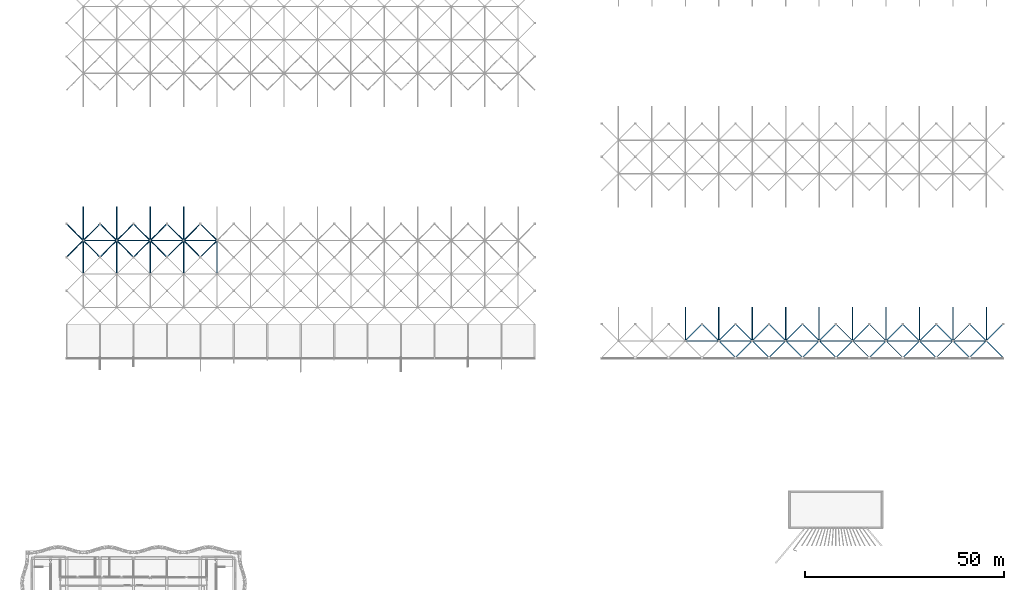
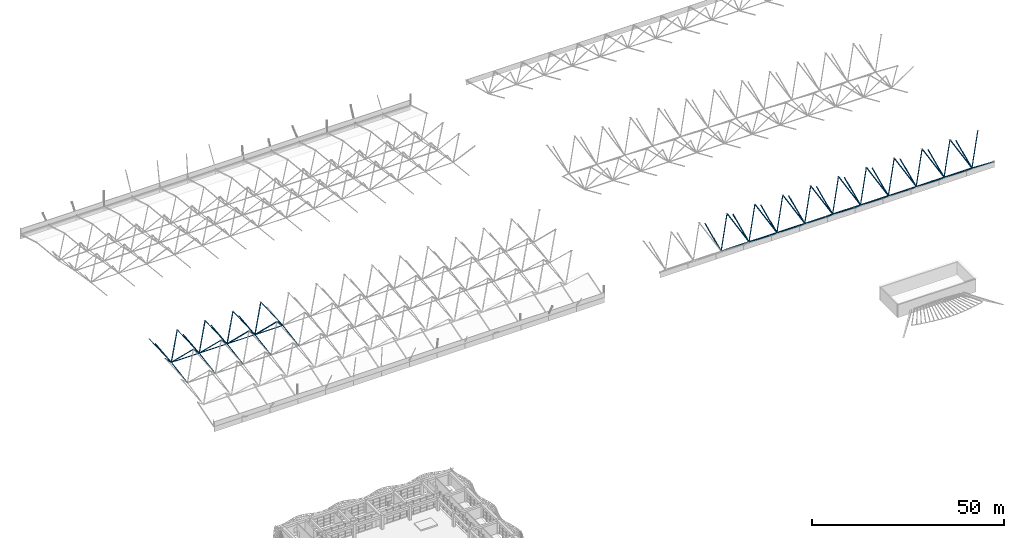
# One storey, part 18 of 85: 86 members.
"""IFC4 building model written with IfcOpenShell, lengths in metres."""

from ifc_helpers import new_model, si_unit, direction, frame, origin, origin_2d, place, context, subcontext, project, spatial, hollow_rectangle, extrude, material, material_profile, profile_set, type_object, element, save


model = new_model("IFC4")

# Units and contexts
model_context = context("Model", 3, precision=1e-05, world=origin(), true_north=direction((0.0, 1.0)))
body_context = subcontext(model_context, "Body", "Model", "MODEL_VIEW")
ifc_project = project(units=[si_unit("LENGTHUNIT", "METRE"), si_unit("AREAUNIT", "SQUARE_METRE"), si_unit("VOLUMEUNIT", "CUBIC_METRE"), si_unit("PLANEANGLEUNIT", "RADIAN"), si_unit("MASSUNIT", "GRAM", prefix="KILO")], contexts=[model_context])

# Site, building, storey
site_placement = place(None, origin())
site = spatial("IfcSite", under=ifc_project, at=site_placement, CompositionType="ELEMENT")
building_placement = place(site_placement, origin())
building = spatial("IfcBuilding", under=site, at=building_placement, Name="Rain Tree Exposition and Congress Centre", CompositionType="ELEMENT")
storey_placement = place(building_placement, frame((0.0, 0.0, 15.0)))
storey = spatial("IfcBuildingStorey", under=building, at=storey_placement, Name="L03", CompositionType="ELEMENT", Elevation=15.0)

# Members
ifc_material_1 = material(Name="Steel S355J2H", Category="steel")
ifc_material_profile_1 = material_profile(ifc_material_1, hollow_rectangle(XDim=0.175048828125, YDim=0.175048828125, WallThickness=0.006103515625, at=origin_2d()), Name="RHS 175x175x6")
ifc_profile_set_1 = profile_set([ifc_material_profile_1], Name="Steel S355J2H")
member_type_1 = type_object("IfcMemberType", Name="Steel brace member RHS 175x175x6", PredefinedType="BRACE", material=ifc_profile_set_1)
for number, where, z_axis, x_axis, name in (
    (1, (12.60009765625, 130.199951171875, 3.974609375), (-0.531227713919, -0.531196835768, 0.660020482738), (0.70708622964, -0.707127332136, 0.0), "Diagonal 612"),
    (2, (12.60009765625, 130.199951171875, 3.974609375), (0.531205549126, -0.531205549126, 0.660031309223), (0.707106781187, 0.707106781187, 0.0), "Diagonal 613"),
):
    element("IfcMember", number, at=place(storey_placement, frame(where, z_axis=z_axis, x_axis=x_axis)), inside=storey, type_object=member_type_1, Name=name, PredefinedType="BRACE", context=body_context, shape_type="SweptSolid", body=[
        extrude(hollow_rectangle(XDim=0.175048828125, YDim=0.175048828125, WallThickness=0.006103515625, at=origin_2d()), origin(), (0.0, 0.0, 1.0), 7.906494140625),
    ])
for number, where, z_axis, x_axis, name in (
    (3, (12.60009765625, 130.199951171875, 3.974609375), (-0.482468463969, 0.482440419998, 0.731078260125), (-0.70708622964, -0.707127332136, 0.0), "Diagonal 614"),
    (4, (12.60009765625, 130.199951171875, 3.974609375), (0.48244694752, 0.48244694752, 0.73108815177), (-0.707106781187, 0.707106781187, 0.0), "Diagonal 615"),
):
    element("IfcMember", number, at=place(storey_placement, frame(where, z_axis=z_axis, x_axis=x_axis)), inside=storey, type_object=member_type_1, Name=name, PredefinedType="BRACE", context=body_context, shape_type="SweptSolid", body=[
        extrude(hollow_rectangle(XDim=0.175048828125, YDim=0.175048828125, WallThickness=0.006103515625, at=origin_2d()), origin(), (0.0, 0.0, 1.0), 8.70556640625),
    ])
for number, where, z_axis, x_axis, name in (
    (5, (21.0, 130.199951171875, 3.974609375), (-0.531205549126, -0.531205549126, 0.660031309223), (0.707106781187, -0.707106781187, 0.0), "Diagonal 618"),
    (6, (21.0, 130.199951171875, 3.974609375), (0.531205549126, -0.531205549126, 0.660031309223), (0.707106781187, 0.707106781187, 0.0), "Diagonal 619"),
):
    element("IfcMember", number, at=place(storey_placement, frame(where, z_axis=z_axis, x_axis=x_axis)), inside=storey, type_object=member_type_1, Name=name, PredefinedType="BRACE", context=body_context, shape_type="SweptSolid", body=[
        extrude(hollow_rectangle(XDim=0.175048828125, YDim=0.175048828125, WallThickness=0.006103515625, at=origin_2d()), origin(), (0.0, 0.0, 1.0), 7.906494140625),
    ])
for number, where, z_axis, x_axis, name in (
    (7, (21.0, 130.199951171875, 3.974609375), (-0.48244694752, 0.48244694752, 0.73108815177), (-0.707106781187, -0.707106781187, 0.0), "Diagonal 620"),
    (8, (21.0, 130.199951171875, 3.974609375), (0.48244694752, 0.48244694752, 0.73108815177), (-0.707106781187, 0.707106781187, 0.0), "Diagonal 621"),
):
    element("IfcMember", number, at=place(storey_placement, frame(where, z_axis=z_axis, x_axis=x_axis)), inside=storey, type_object=member_type_1, Name=name, PredefinedType="BRACE", context=body_context, shape_type="SweptSolid", body=[
        extrude(hollow_rectangle(XDim=0.175048828125, YDim=0.175048828125, WallThickness=0.006103515625, at=origin_2d()), origin(), (0.0, 0.0, 1.0), 8.70556640625),
    ])
for number, where, z_axis, x_axis, name in (
    (9, (29.39990234375, 130.199951171875, 3.974609375), (-0.531205549126, -0.531205549126, 0.660031309223), (0.707106781187, -0.707106781187, 0.0), "Diagonal 624"),
    (10, (29.39990234375, 130.199951171875, 3.974609375), (0.531227713919, -0.531196835768, 0.660020482738), (0.70708622964, 0.707127332136, 0.0), "Diagonal 625"),
):
    element("IfcMember", number, at=place(storey_placement, frame(where, z_axis=z_axis, x_axis=x_axis)), inside=storey, type_object=member_type_1, Name=name, PredefinedType="BRACE", context=body_context, shape_type="SweptSolid", body=[
        extrude(hollow_rectangle(XDim=0.175048828125, YDim=0.175048828125, WallThickness=0.006103515625, at=origin_2d()), origin(), (0.0, 0.0, 1.0), 7.906494140625),
    ])
for number, where, z_axis, x_axis, name in (
    (11, (29.39990234375, 130.199951171875, 3.974609375), (-0.48244694752, 0.48244694752, 0.73108815177), (-0.707106781187, -0.707106781187, 0.0), "Diagonal 626"),
    (12, (29.39990234375, 130.199951171875, 3.974609375), (0.482468463969, 0.482440419998, 0.731078260125), (-0.70708622964, 0.707127332136, 0.0), "Diagonal 627"),
):
    element("IfcMember", number, at=place(storey_placement, frame(where, z_axis=z_axis, x_axis=x_axis)), inside=storey, type_object=member_type_1, Name=name, PredefinedType="BRACE", context=body_context, shape_type="SweptSolid", body=[
        extrude(hollow_rectangle(XDim=0.175048828125, YDim=0.175048828125, WallThickness=0.006103515625, at=origin_2d()), origin(), (0.0, 0.0, 1.0), 8.70556640625),
    ])
for number, where, z_axis, x_axis, name in (
    (13, (37.800048828125, 130.199951171875, 3.974609375), (-0.531205549126, -0.531205549126, 0.660031309223), (0.707106781187, -0.707106781187, 0.0), "Diagonal 630"),
    (14, (37.800048828125, 130.199951171875, 3.974609375), (0.531205549126, -0.531205549126, 0.660031309223), (0.707106781187, 0.707106781187, 0.0), "Diagonal 631"),
):
    element("IfcMember", number, at=place(storey_placement, frame(where, z_axis=z_axis, x_axis=x_axis)), inside=storey, type_object=member_type_1, Name=name, PredefinedType="BRACE", context=body_context, shape_type="SweptSolid", body=[
        extrude(hollow_rectangle(XDim=0.175048828125, YDim=0.175048828125, WallThickness=0.006103515625, at=origin_2d()), origin(), (0.0, 0.0, 1.0), 7.906494140625),
    ])
for number, where, z_axis, x_axis, name in (
    (15, (37.800048828125, 130.199951171875, 3.974609375), (-0.48244694752, 0.48244694752, 0.73108815177), (-0.707106781187, -0.707106781187, 0.0), "Diagonal 632"),
    (16, (37.800048828125, 130.199951171875, 3.974609375), (0.48244694752, 0.48244694752, 0.73108815177), (-0.707106781187, 0.707106781187, 0.0), "Diagonal 633"),
):
    element("IfcMember", number, at=place(storey_placement, frame(where, z_axis=z_axis, x_axis=x_axis)), inside=storey, type_object=member_type_1, Name=name, PredefinedType="BRACE", context=body_context, shape_type="SweptSolid", body=[
        extrude(hollow_rectangle(XDim=0.175048828125, YDim=0.175048828125, WallThickness=0.006103515625, at=origin_2d()), origin(), (0.0, 0.0, 1.0), 8.70556640625),
    ])
member_1_placement = place(storey_placement, frame((46.199951171875, 130.199951171875, 3.974609375), z_axis=(-0.531205549126, -0.531205549126, 0.660031309223), x_axis=(0.707106781187, -0.707106781187, 0.0)))
element("IfcMember", 17, at=member_1_placement, inside=storey, type_object=member_type_1, Name="Diagonal 636", PredefinedType="BRACE", context=body_context, shape_type="SweptSolid", body=[
    extrude(hollow_rectangle(XDim=0.175048828125, YDim=0.175048828125, WallThickness=0.006103515625, at=origin_2d()), origin(), (0.0, 0.0, 1.0), 7.906494140625),
])
member_2_placement = place(storey_placement, frame((46.199951171875, 130.199951171875, 3.974609375), z_axis=(-0.48244694752, 0.48244694752, 0.73108815177), x_axis=(-0.707106781187, -0.707106781187, 0.0)))
element("IfcMember", 18, at=member_2_placement, inside=storey, type_object=member_type_1, Name="Diagonal 638", PredefinedType="BRACE", context=body_context, shape_type="SweptSolid", body=[
    extrude(hollow_rectangle(XDim=0.175048828125, YDim=0.175048828125, WallThickness=0.006103515625, at=origin_2d()), origin(), (0.0, 0.0, 1.0), 8.70556640625),
])
ifc_material_2 = material(Name="Steel S355J2H", Category="steel")
ifc_material_profile_2 = material_profile(ifc_material_2, hollow_rectangle(XDim=0.25, YDim=0.25, WallThickness=0.006103515625, at=origin_2d()), Name="RHS 250x250x6")
ifc_profile_set_2 = profile_set([ifc_material_profile_2], Name="Steel S355J2H")
member_type_2 = type_object("IfcMemberType", Name="Steel brace member RHS 250x250x6", PredefinedType="BRACE", material=ifc_profile_set_2)
member_3_placement = place(storey_placement, frame((163.800048828125, 105.0, 1.77294921875), z_axis=(0.422505540408, 0.422505540408, 0.801859175073), x_axis=(-0.707106781187, 0.707106781187, 0.0)))
element("IfcMember", 19, at=member_3_placement, inside=storey, type_object=member_type_2, Name="Diagonal 328", PredefinedType="BRACE", context=body_context, shape_type="SweptSolid", body=[
    extrude(hollow_rectangle(XDim=0.25, YDim=0.25, WallThickness=0.006103515625, at=origin_2d()), origin(), (0.0, 0.0, 1.0), 9.940673828125),
])
member_4_placement = place(storey_placement, frame((172.199951171875, 105.0, 1.77294921875), z_axis=(0.627852053381, -0.627852053381, 0.460003910993), x_axis=(0.707106781187, 0.707106781187, 0.0)))
element("IfcMember", 20, at=member_4_placement, inside=storey, type_object=member_type_2, Name="Diagonal 332", PredefinedType="BRACE", context=body_context, shape_type="SweptSolid", body=[
    extrude(hollow_rectangle(XDim=0.25, YDim=0.25, WallThickness=0.006103515625, at=origin_2d()), origin(), (0.0, 0.0, 1.0), 6.689453125),
])
for number, where, z_axis, x_axis, name in (
    (21, (172.199951171875, 105.0, 1.77294921875), (-0.422505540408, 0.422505540408, 0.801859175073), (-0.707106781187, -0.707106781187, 0.0), "Diagonal 333"),
    (22, (172.199951171875, 105.0, 1.77294921875), (0.422505540408, 0.422505540408, 0.801859175073), (-0.707106781187, 0.707106781187, 0.0), "Diagonal 334"),
):
    element("IfcMember", number, at=place(storey_placement, frame(where, z_axis=z_axis, x_axis=x_axis)), inside=storey, type_object=member_type_2, Name=name, PredefinedType="BRACE", context=body_context, shape_type="SweptSolid", body=[
        extrude(hollow_rectangle(XDim=0.25, YDim=0.25, WallThickness=0.006103515625, at=origin_2d()), origin(), (0.0, 0.0, 1.0), 9.940673828125),
    ])
for number, where, z_axis, x_axis, name in (
    (23, (180.60009765625, 105.0, 1.77294921875), (-0.627874162364, -0.62783766654, 0.459993370288), (0.70708622964, -0.707127332136, 0.0), "Diagonal 337"),
    (24, (180.60009765625, 105.0, 1.77294921875), (0.627852053381, -0.627852053381, 0.460003910993), (0.707106781187, 0.707106781187, 0.0), "Diagonal 338"),
):
    element("IfcMember", number, at=place(storey_placement, frame(where, z_axis=z_axis, x_axis=x_axis)), inside=storey, type_object=member_type_2, Name=name, PredefinedType="BRACE", context=body_context, shape_type="SweptSolid", body=[
        extrude(hollow_rectangle(XDim=0.25, YDim=0.25, WallThickness=0.006103515625, at=origin_2d()), origin(), (0.0, 0.0, 1.0), 6.689453125),
    ])
for number, where, z_axis, x_axis, name in (
    (25, (180.60009765625, 105.0, 1.77294921875), (-0.422525715859, 0.422501156122, 0.801850854283), (-0.70708622964, -0.707127332136, 0.0), "Diagonal 339"),
    (26, (180.60009765625, 105.0, 1.77294921875), (0.422505540408, 0.422505540408, 0.801859175073), (-0.707106781187, 0.707106781187, 0.0), "Diagonal 340"),
):
    element("IfcMember", number, at=place(storey_placement, frame(where, z_axis=z_axis, x_axis=x_axis)), inside=storey, type_object=member_type_2, Name=name, PredefinedType="BRACE", context=body_context, shape_type="SweptSolid", body=[
        extrude(hollow_rectangle(XDim=0.25, YDim=0.25, WallThickness=0.006103515625, at=origin_2d()), origin(), (0.0, 0.0, 1.0), 9.940673828125),
    ])
for number, where, z_axis, x_axis, name in (
    (27, (189.0, 105.0, 1.77294921875), (-0.627852053381, -0.627852053381, 0.460003910993), (0.707106781187, -0.707106781187, 0.0), "Diagonal 343"),
    (28, (189.0, 105.0, 1.77294921875), (0.627852053381, -0.627852053381, 0.460003910993), (0.707106781187, 0.707106781187, 0.0), "Diagonal 344"),
):
    element("IfcMember", number, at=place(storey_placement, frame(where, z_axis=z_axis, x_axis=x_axis)), inside=storey, type_object=member_type_2, Name=name, PredefinedType="BRACE", context=body_context, shape_type="SweptSolid", body=[
        extrude(hollow_rectangle(XDim=0.25, YDim=0.25, WallThickness=0.006103515625, at=origin_2d()), origin(), (0.0, 0.0, 1.0), 6.689453125),
    ])
for number, where, z_axis, x_axis, name in (
    (29, (189.0, 105.0, 1.77294921875), (-0.422505540408, 0.422505540408, 0.801859175073), (-0.707106781187, -0.707106781187, 0.0), "Diagonal 345"),
    (30, (189.0, 105.0, 1.77294921875), (0.422505540408, 0.422505540408, 0.801859175073), (-0.707106781187, 0.707106781187, 0.0), "Diagonal 346"),
):
    element("IfcMember", number, at=place(storey_placement, frame(where, z_axis=z_axis, x_axis=x_axis)), inside=storey, type_object=member_type_2, Name=name, PredefinedType="BRACE", context=body_context, shape_type="SweptSolid", body=[
        extrude(hollow_rectangle(XDim=0.25, YDim=0.25, WallThickness=0.006103515625, at=origin_2d()), origin(), (0.0, 0.0, 1.0), 9.940673828125),
    ])
for number, where, z_axis, x_axis, name in (
    (31, (197.39990234375, 105.0, 1.77294921875), (-0.627852053381, -0.627852053381, 0.460003910993), (0.707106781187, -0.707106781187, 0.0), "Diagonal 349"),
    (32, (197.39990234375, 105.0, 1.77294921875), (0.627874162364, -0.62783766654, 0.459993370288), (0.70708622964, 0.707127332136, 0.0), "Diagonal 350"),
):
    element("IfcMember", number, at=place(storey_placement, frame(where, z_axis=z_axis, x_axis=x_axis)), inside=storey, type_object=member_type_2, Name=name, PredefinedType="BRACE", context=body_context, shape_type="SweptSolid", body=[
        extrude(hollow_rectangle(XDim=0.25, YDim=0.25, WallThickness=0.006103515625, at=origin_2d()), origin(), (0.0, 0.0, 1.0), 6.689453125),
    ])
for number, where, z_axis, x_axis, name in (
    (33, (197.39990234375, 105.0, 1.77294921875), (-0.422505540408, 0.422505540408, 0.801859175073), (-0.707106781187, -0.707106781187, 0.0), "Diagonal 351"),
    (34, (197.39990234375, 105.0, 1.77294921875), (0.422525715859, 0.422501156122, 0.801850854283), (-0.70708622964, 0.707127332136, 0.0), "Diagonal 352"),
):
    element("IfcMember", number, at=place(storey_placement, frame(where, z_axis=z_axis, x_axis=x_axis)), inside=storey, type_object=member_type_2, Name=name, PredefinedType="BRACE", context=body_context, shape_type="SweptSolid", body=[
        extrude(hollow_rectangle(XDim=0.25, YDim=0.25, WallThickness=0.006103515625, at=origin_2d()), origin(), (0.0, 0.0, 1.0), 9.940673828125),
    ])
for number, where, z_axis, x_axis, name in (
    (35, (205.800048828125, 105.0, 1.77294921875), (-0.627852053381, -0.627852053381, 0.460003910993), (0.707106781187, -0.707106781187, 0.0), "Diagonal 355"),
    (36, (205.800048828125, 105.0, 1.77294921875), (0.627852053381, -0.627852053381, 0.460003910993), (0.707106781187, 0.707106781187, 0.0), "Diagonal 356"),
):
    element("IfcMember", number, at=place(storey_placement, frame(where, z_axis=z_axis, x_axis=x_axis)), inside=storey, type_object=member_type_2, Name=name, PredefinedType="BRACE", context=body_context, shape_type="SweptSolid", body=[
        extrude(hollow_rectangle(XDim=0.25, YDim=0.25, WallThickness=0.006103515625, at=origin_2d()), origin(), (0.0, 0.0, 1.0), 6.689453125),
    ])
for number, where, z_axis, x_axis, name in (
    (37, (205.800048828125, 105.0, 1.77294921875), (-0.422505540408, 0.422505540408, 0.801859175073), (-0.707106781187, -0.707106781187, 0.0), "Diagonal 357"),
    (38, (205.800048828125, 105.0, 1.77294921875), (0.422505540408, 0.422505540408, 0.801859175073), (-0.707106781187, 0.707106781187, 0.0), "Diagonal 358"),
):
    element("IfcMember", number, at=place(storey_placement, frame(where, z_axis=z_axis, x_axis=x_axis)), inside=storey, type_object=member_type_2, Name=name, PredefinedType="BRACE", context=body_context, shape_type="SweptSolid", body=[
        extrude(hollow_rectangle(XDim=0.25, YDim=0.25, WallThickness=0.006103515625, at=origin_2d()), origin(), (0.0, 0.0, 1.0), 9.940673828125),
    ])
for number, where, z_axis, x_axis, name in (
    (39, (214.199951171875, 105.0, 1.77294921875), (-0.627852053381, -0.627852053381, 0.460003910993), (0.707106781187, -0.707106781187, 0.0), "Diagonal 361"),
    (40, (214.199951171875, 105.0, 1.77294921875), (0.627852053381, -0.627852053381, 0.460003910993), (0.707106781187, 0.707106781187, 0.0), "Diagonal 362"),
):
    element("IfcMember", number, at=place(storey_placement, frame(where, z_axis=z_axis, x_axis=x_axis)), inside=storey, type_object=member_type_2, Name=name, PredefinedType="BRACE", context=body_context, shape_type="SweptSolid", body=[
        extrude(hollow_rectangle(XDim=0.25, YDim=0.25, WallThickness=0.006103515625, at=origin_2d()), origin(), (0.0, 0.0, 1.0), 6.689453125),
    ])
for number, where, z_axis, x_axis, name in (
    (41, (214.199951171875, 105.0, 1.77294921875), (-0.422505540408, 0.422505540408, 0.801859175073), (-0.707106781187, -0.707106781187, 0.0), "Diagonal 363"),
    (42, (214.199951171875, 105.0, 1.77294921875), (0.422505540408, 0.422505540408, 0.801859175073), (-0.707106781187, 0.707106781187, 0.0), "Diagonal 364"),
):
    element("IfcMember", number, at=place(storey_placement, frame(where, z_axis=z_axis, x_axis=x_axis)), inside=storey, type_object=member_type_2, Name=name, PredefinedType="BRACE", context=body_context, shape_type="SweptSolid", body=[
        extrude(hollow_rectangle(XDim=0.25, YDim=0.25, WallThickness=0.006103515625, at=origin_2d()), origin(), (0.0, 0.0, 1.0), 9.940673828125),
    ])
for number, where, z_axis, x_axis, name in (
    (43, (222.60009765625, 105.0, 1.77294921875), (-0.627874162364, -0.62783766654, 0.459993370288), (0.70708622964, -0.707127332136, 0.0), "Diagonal 367"),
    (44, (222.60009765625, 105.0, 1.77294921875), (0.627852053381, -0.627852053381, 0.460003910993), (0.707106781187, 0.707106781187, 0.0), "Diagonal 368"),
):
    element("IfcMember", number, at=place(storey_placement, frame(where, z_axis=z_axis, x_axis=x_axis)), inside=storey, type_object=member_type_2, Name=name, PredefinedType="BRACE", context=body_context, shape_type="SweptSolid", body=[
        extrude(hollow_rectangle(XDim=0.25, YDim=0.25, WallThickness=0.006103515625, at=origin_2d()), origin(), (0.0, 0.0, 1.0), 6.689453125),
    ])
for number, where, z_axis, x_axis, name in (
    (45, (222.60009765625, 105.0, 1.77294921875), (-0.422525715859, 0.422501156122, 0.801850854283), (-0.70708622964, -0.707127332136, 0.0), "Diagonal 369"),
    (46, (222.60009765625, 105.0, 1.77294921875), (0.422505540408, 0.422505540408, 0.801859175073), (-0.707106781187, 0.707106781187, 0.0), "Diagonal 370"),
):
    element("IfcMember", number, at=place(storey_placement, frame(where, z_axis=z_axis, x_axis=x_axis)), inside=storey, type_object=member_type_2, Name=name, PredefinedType="BRACE", context=body_context, shape_type="SweptSolid", body=[
        extrude(hollow_rectangle(XDim=0.25, YDim=0.25, WallThickness=0.006103515625, at=origin_2d()), origin(), (0.0, 0.0, 1.0), 9.940673828125),
    ])
for number, where, z_axis, x_axis, name in (
    (47, (231.0, 105.0, 1.77294921875), (-0.627852053381, -0.627852053381, 0.460003910993), (0.707106781187, -0.707106781187, 0.0), "Diagonal 373"),
    (48, (231.0, 105.0, 1.77294921875), (0.627852053381, -0.627852053381, 0.460003910993), (0.707106781187, 0.707106781187, 0.0), "Diagonal 374"),
):
    element("IfcMember", number, at=place(storey_placement, frame(where, z_axis=z_axis, x_axis=x_axis)), inside=storey, type_object=member_type_2, Name=name, PredefinedType="BRACE", context=body_context, shape_type="SweptSolid", body=[
        extrude(hollow_rectangle(XDim=0.25, YDim=0.25, WallThickness=0.006103515625, at=origin_2d()), origin(), (0.0, 0.0, 1.0), 6.689453125),
    ])
for number, where, z_axis, x_axis, name in (
    (49, (231.0, 105.0, 1.77294921875), (-0.422505540408, 0.422505540408, 0.801859175073), (-0.707106781187, -0.707106781187, 0.0), "Diagonal 375"),
    (50, (231.0, 105.0, 1.77294921875), (0.422505540408, 0.422505540408, 0.801859175073), (-0.707106781187, 0.707106781187, 0.0), "Diagonal 376"),
):
    element("IfcMember", number, at=place(storey_placement, frame(where, z_axis=z_axis, x_axis=x_axis)), inside=storey, type_object=member_type_2, Name=name, PredefinedType="BRACE", context=body_context, shape_type="SweptSolid", body=[
        extrude(hollow_rectangle(XDim=0.25, YDim=0.25, WallThickness=0.006103515625, at=origin_2d()), origin(), (0.0, 0.0, 1.0), 9.940673828125),
    ])
for number, where, z_axis, x_axis, name in (
    (51, (239.39990234375, 105.0, 1.77294921875), (-0.627852053381, -0.627852053381, 0.460003910993), (0.707106781187, -0.707106781187, 0.0), "Diagonal 379"),
    (52, (239.39990234375, 105.0, 1.77294921875), (0.627874162364, -0.62783766654, 0.459993370288), (0.70708622964, 0.707127332136, 0.0), "Diagonal 380"),
):
    element("IfcMember", number, at=place(storey_placement, frame(where, z_axis=z_axis, x_axis=x_axis)), inside=storey, type_object=member_type_2, Name=name, PredefinedType="BRACE", context=body_context, shape_type="SweptSolid", body=[
        extrude(hollow_rectangle(XDim=0.25, YDim=0.25, WallThickness=0.006103515625, at=origin_2d()), origin(), (0.0, 0.0, 1.0), 6.689453125),
    ])
for number, where, z_axis, x_axis, name in (
    (53, (239.39990234375, 105.0, 1.77294921875), (-0.422505540408, 0.422505540408, 0.801859175073), (-0.707106781187, -0.707106781187, 0.0), "Diagonal 381"),
    (54, (239.39990234375, 105.0, 1.77294921875), (0.422525715859, 0.422501156122, 0.801850854283), (-0.70708622964, 0.707127332136, 0.0), "Diagonal 382"),
):
    element("IfcMember", number, at=place(storey_placement, frame(where, z_axis=z_axis, x_axis=x_axis)), inside=storey, type_object=member_type_2, Name=name, PredefinedType="BRACE", context=body_context, shape_type="SweptSolid", body=[
        extrude(hollow_rectangle(XDim=0.25, YDim=0.25, WallThickness=0.006103515625, at=origin_2d()), origin(), (0.0, 0.0, 1.0), 9.940673828125),
    ])
ifc_material_3 = material(Name="Steel S355J2H", Category="steel")
ifc_material_profile_3 = material_profile(ifc_material_3, hollow_rectangle(XDim=0.14990234375, YDim=0.14990234375, WallThickness=0.00439453125, at=origin_2d()), Name="RHS 150x150x4.5")
ifc_profile_set_3 = profile_set([ifc_material_profile_3], Name="Steel S355J2H")
member_type_3 = type_object("IfcMemberType", Name="Steel chord member RHS 150x150x4.5", PredefinedType="CHORD", material=ifc_profile_set_3)
member_5_placement = place(storey_placement, frame((163.800048828125, 105.0, 1.77294921875), z_axis=(1.0, 0.0, 0.0), x_axis=(0.0, 1.0, 0.0)))
element("IfcMember", 55, at=member_5_placement, inside=storey, type_object=member_type_3, Name="Bottom chord 329", PredefinedType="CHORD", context=body_context, shape_type="SweptSolid", body=[
    extrude(hollow_rectangle(XDim=0.14990234375, YDim=0.14990234375, WallThickness=0.00439453125, at=origin_2d()), origin(), (0.0, 0.0, 1.0), 8.39990234375),
])
member_6_placement = place(storey_placement, frame((172.199951171875, 105.0, 1.77294921875), z_axis=(1.0, 0.0, 0.0), x_axis=(0.0, 1.0, 0.0)))
element("IfcMember", 56, at=member_6_placement, inside=storey, type_object=member_type_3, Name="Bottom chord 335", PredefinedType="CHORD", context=body_context, shape_type="SweptSolid", body=[
    extrude(hollow_rectangle(XDim=0.14990234375, YDim=0.14990234375, WallThickness=0.00439453125, at=origin_2d()), origin(), (0.0, 0.0, 1.0), 8.400146484375),
])
for number, where, z_axis, x_axis, name in (
    (57, (180.60009765625, 105.0, 1.77294921875), (1.0, 0.0, 0.0), (0.0, 1.0, 0.0), "Bottom chord 341"),
    (58, (189.0, 105.0, 1.77294921875), (1.0, 0.0, 0.0), (0.0, 1.0, 0.0), "Bottom chord 347"),
):
    element("IfcMember", number, at=place(storey_placement, frame(where, z_axis=z_axis, x_axis=x_axis)), inside=storey, type_object=member_type_3, Name=name, PredefinedType="CHORD", context=body_context, shape_type="SweptSolid", body=[
        extrude(hollow_rectangle(XDim=0.14990234375, YDim=0.14990234375, WallThickness=0.00439453125, at=origin_2d()), origin(), (0.0, 0.0, 1.0), 8.39990234375),
    ])
member_7_placement = place(storey_placement, frame((197.39990234375, 105.0, 1.77294921875), z_axis=(1.0, 0.0, 0.0), x_axis=(0.0, 1.0, 0.0)))
element("IfcMember", 59, at=member_7_placement, inside=storey, type_object=member_type_3, Name="Bottom chord 353", PredefinedType="CHORD", context=body_context, shape_type="SweptSolid", body=[
    extrude(hollow_rectangle(XDim=0.14990234375, YDim=0.14990234375, WallThickness=0.00439453125, at=origin_2d()), origin(), (0.0, 0.0, 1.0), 8.400146484375),
])
member_8_placement = place(storey_placement, frame((205.800048828125, 105.0, 1.77294921875), z_axis=(1.0, 0.0, 0.0), x_axis=(0.0, 1.0, 0.0)))
element("IfcMember", 60, at=member_8_placement, inside=storey, type_object=member_type_3, Name="Bottom chord 359", PredefinedType="CHORD", context=body_context, shape_type="SweptSolid", body=[
    extrude(hollow_rectangle(XDim=0.14990234375, YDim=0.14990234375, WallThickness=0.00439453125, at=origin_2d()), origin(), (0.0, 0.0, 1.0), 8.39990234375),
])
member_9_placement = place(storey_placement, frame((214.199951171875, 105.0, 1.77294921875), z_axis=(1.0, 0.0, 0.0), x_axis=(0.0, 1.0, 0.0)))
element("IfcMember", 61, at=member_9_placement, inside=storey, type_object=member_type_3, Name="Bottom chord 365", PredefinedType="CHORD", context=body_context, shape_type="SweptSolid", body=[
    extrude(hollow_rectangle(XDim=0.14990234375, YDim=0.14990234375, WallThickness=0.00439453125, at=origin_2d()), origin(), (0.0, 0.0, 1.0), 8.400146484375),
])
for number, where, z_axis, x_axis, name in (
    (62, (222.60009765625, 105.0, 1.77294921875), (1.0, 0.0, 0.0), (0.0, 1.0, 0.0), "Bottom chord 371"),
    (63, (231.0, 105.0, 1.77294921875), (1.0, 0.0, 0.0), (0.0, 1.0, 0.0), "Bottom chord 377"),
):
    element("IfcMember", number, at=place(storey_placement, frame(where, z_axis=z_axis, x_axis=x_axis)), inside=storey, type_object=member_type_3, Name=name, PredefinedType="CHORD", context=body_context, shape_type="SweptSolid", body=[
        extrude(hollow_rectangle(XDim=0.14990234375, YDim=0.14990234375, WallThickness=0.00439453125, at=origin_2d()), origin(), (0.0, 0.0, 1.0), 8.39990234375),
    ])
ifc_material_4 = material(Name="Steel S355J2H", Category="steel")
ifc_material_profile_4 = material_profile(ifc_material_4, hollow_rectangle(XDim=0.175048828125, YDim=0.175048828125, WallThickness=0.006103515625, at=origin_2d()), Name="RHS 175x175x6")
ifc_profile_set_4 = profile_set([ifc_material_profile_4], Name="Steel S355J2H")
member_type_4 = type_object("IfcMemberType", Name="Steel chord member RHS 175x175x6", PredefinedType="CHORD", material=ifc_profile_set_4)
for number, where, z_axis, x_axis, name in (
    (64, (163.800048828125, 105.0, 1.77294921875), (0.0, 0.915468371114, 0.402389937114), (-1.0, 0.0, 0.0), "Bottom chord 330"),
    (65, (172.199951171875, 105.0, 1.77294921875), (0.0, 0.915468371114, 0.402389937114), (-1.0, 0.0, 0.0), "Bottom chord 336"),
    (66, (180.60009765625, 105.0, 1.77294921875), (0.0, 0.915468371114, 0.402389937114), (-1.0, 0.0, 0.0), "Bottom chord 342"),
    (67, (189.0, 105.0, 1.77294921875), (0.0, 0.915468371114, 0.402389937114), (-1.0, 0.0, 0.0), "Bottom chord 348"),
    (68, (197.39990234375, 105.0, 1.77294921875), (0.0, 0.915468371114, 0.402389937114), (-1.0, 0.0, 0.0), "Bottom chord 354"),
    (69, (205.800048828125, 105.0, 1.77294921875), (0.0, 0.915468371114, 0.402389937114), (-1.0, 0.0, 0.0), "Bottom chord 360"),
    (70, (214.199951171875, 105.0, 1.77294921875), (0.0, 0.915468371114, 0.402389937114), (-1.0, 0.0, 0.0), "Bottom chord 366"),
    (71, (222.60009765625, 105.0, 1.77294921875), (0.0, 0.915468371114, 0.402389937114), (-1.0, 0.0, 0.0), "Bottom chord 372"),
    (72, (231.0, 105.0, 1.77294921875), (0.0, 0.915468371114, 0.402389937114), (-1.0, 0.0, 0.0), "Bottom chord 378"),
    (73, (239.39990234375, 105.0, 1.77294921875), (0.0, 0.915468371114, 0.402389937114), (-1.0, 0.0, 0.0), "Bottom chord 383"),
):
    element("IfcMember", number, at=place(storey_placement, frame(where, z_axis=z_axis, x_axis=x_axis)), inside=storey, type_object=member_type_4, Name=name, PredefinedType="CHORD", context=body_context, shape_type="SweptSolid", body=[
        extrude(hollow_rectangle(XDim=0.175048828125, YDim=0.175048828125, WallThickness=0.006103515625, at=origin_2d()), origin(), (0.0, 0.0, 1.0), 9.175537109375),
    ])
ifc_material_5 = material(Name="Steel S355J2H", Category="steel")
ifc_material_profile_5 = material_profile(ifc_material_5, hollow_rectangle(XDim=0.199951171875, YDim=0.199951171875, WallThickness=0.009033203125, at=origin_2d()), Name="RHS 200x200x9")
ifc_profile_set_5 = profile_set([ifc_material_profile_5], Name="Steel S355J2H")
member_type_5 = type_object("IfcMemberType", Name="Steel chord member RHS 200x200x9", PredefinedType="CHORD", material=ifc_profile_set_5)
for number, where, z_axis, x_axis, name in (
    (74, (12.60009765625, 121.800048828125, 2.593505859375), (0.0, 0.986751221358, 0.162240645795), (-1.0, 0.0, 0.0), "Bottom chord 534"),
    (75, (21.0, 121.800048828125, 2.593505859375), (0.0, 0.986751221358, 0.162240645795), (-1.0, 0.0, 0.0), "Bottom chord 540"),
    (76, (29.39990234375, 121.800048828125, 2.593505859375), (0.0, 0.986751221358, 0.162240645795), (-1.0, 0.0, 0.0), "Bottom chord 546"),
    (77, (37.800048828125, 121.800048828125, 2.593505859375), (0.0, 0.986751221358, 0.162240645795), (-1.0, 0.0, 0.0), "Bottom chord 552"),
    (78, (46.199951171875, 121.800048828125, 2.593505859375), (0.0, 0.986751221358, 0.162240645795), (-1.0, 0.0, 0.0), "Bottom chord 558"),
):
    element("IfcMember", number, at=place(storey_placement, frame(where, z_axis=z_axis, x_axis=x_axis)), inside=storey, type_object=member_type_5, Name=name, PredefinedType="CHORD", context=body_context, shape_type="SweptSolid", body=[
        extrude(hollow_rectangle(XDim=0.199951171875, YDim=0.199951171875, WallThickness=0.009033203125, at=origin_2d()), origin(), (0.0, 0.0, 1.0), 8.5126953125),
    ])
member_10_placement = place(storey_placement, frame((12.60009765625, 130.199951171875, 3.974609375), z_axis=(1.0, 0.0, 0.0), x_axis=(0.0, 1.0, 0.0)))
element("IfcMember", 79, at=member_10_placement, inside=storey, type_object=member_type_5, Name="Bottom chord 616", PredefinedType="CHORD", context=body_context, shape_type="SweptSolid", body=[
    extrude(hollow_rectangle(XDim=0.199951171875, YDim=0.199951171875, WallThickness=0.009033203125, at=origin_2d()), origin(), (0.0, 0.0, 1.0), 8.39990234375),
])
member_11_placement = place(storey_placement, frame((12.60009765625, 130.199951171875, 3.974609375), z_axis=(0.0, 0.994137916016, 0.108119396685), x_axis=(-1.0, 0.0, 0.0)))
element("IfcMember", 80, at=member_11_placement, inside=storey, type_object=member_type_5, Name="Bottom chord 617", PredefinedType="CHORD", context=body_context, shape_type="SweptSolid", body=[
    extrude(hollow_rectangle(XDim=0.199951171875, YDim=0.199951171875, WallThickness=0.009033203125, at=origin_2d()), origin(), (0.0, 0.0, 1.0), 8.44970703125),
])
member_12_placement = place(storey_placement, frame((21.0, 130.199951171875, 3.974609375), z_axis=(1.0, 0.0, 0.0), x_axis=(0.0, 1.0, 0.0)))
element("IfcMember", 81, at=member_12_placement, inside=storey, type_object=member_type_5, Name="Bottom chord 622", PredefinedType="CHORD", context=body_context, shape_type="SweptSolid", body=[
    extrude(hollow_rectangle(XDim=0.199951171875, YDim=0.199951171875, WallThickness=0.009033203125, at=origin_2d()), origin(), (0.0, 0.0, 1.0), 8.39990234375),
])
member_13_placement = place(storey_placement, frame((21.0, 130.199951171875, 3.974609375), z_axis=(0.0, 0.994137916016, 0.108119396685), x_axis=(-1.0, 0.0, 0.0)))
element("IfcMember", 82, at=member_13_placement, inside=storey, type_object=member_type_5, Name="Bottom chord 623", PredefinedType="CHORD", context=body_context, shape_type="SweptSolid", body=[
    extrude(hollow_rectangle(XDim=0.199951171875, YDim=0.199951171875, WallThickness=0.009033203125, at=origin_2d()), origin(), (0.0, 0.0, 1.0), 8.44970703125),
])
member_14_placement = place(storey_placement, frame((29.39990234375, 130.199951171875, 3.974609375), z_axis=(1.0, 0.0, 0.0), x_axis=(0.0, 1.0, 0.0)))
element("IfcMember", 83, at=member_14_placement, inside=storey, type_object=member_type_5, Name="Bottom chord 628", PredefinedType="CHORD", context=body_context, shape_type="SweptSolid", body=[
    extrude(hollow_rectangle(XDim=0.199951171875, YDim=0.199951171875, WallThickness=0.009033203125, at=origin_2d()), origin(), (0.0, 0.0, 1.0), 8.400146484375),
])
member_15_placement = place(storey_placement, frame((29.39990234375, 130.199951171875, 3.974609375), z_axis=(0.0, 0.994137916016, 0.108119396685), x_axis=(-1.0, 0.0, 0.0)))
element("IfcMember", 84, at=member_15_placement, inside=storey, type_object=member_type_5, Name="Bottom chord 629", PredefinedType="CHORD", context=body_context, shape_type="SweptSolid", body=[
    extrude(hollow_rectangle(XDim=0.199951171875, YDim=0.199951171875, WallThickness=0.009033203125, at=origin_2d()), origin(), (0.0, 0.0, 1.0), 8.44970703125),
])
member_16_placement = place(storey_placement, frame((37.800048828125, 130.199951171875, 3.974609375), z_axis=(1.0, 0.0, 0.0), x_axis=(0.0, 1.0, 0.0)))
element("IfcMember", 85, at=member_16_placement, inside=storey, type_object=member_type_5, Name="Bottom chord 634", PredefinedType="CHORD", context=body_context, shape_type="SweptSolid", body=[
    extrude(hollow_rectangle(XDim=0.199951171875, YDim=0.199951171875, WallThickness=0.009033203125, at=origin_2d()), origin(), (0.0, 0.0, 1.0), 8.39990234375),
])
member_17_placement = place(storey_placement, frame((37.800048828125, 130.199951171875, 3.974609375), z_axis=(0.0, 0.994137916016, 0.108119396685), x_axis=(-1.0, 0.0, 0.0)))
element("IfcMember", 86, at=member_17_placement, inside=storey, type_object=member_type_5, Name="Bottom chord 635", PredefinedType="CHORD", context=body_context, shape_type="SweptSolid", body=[
    extrude(hollow_rectangle(XDim=0.199951171875, YDim=0.199951171875, WallThickness=0.009033203125, at=origin_2d()), origin(), (0.0, 0.0, 1.0), 8.44970703125),
])

save(model, "model.ifc")
